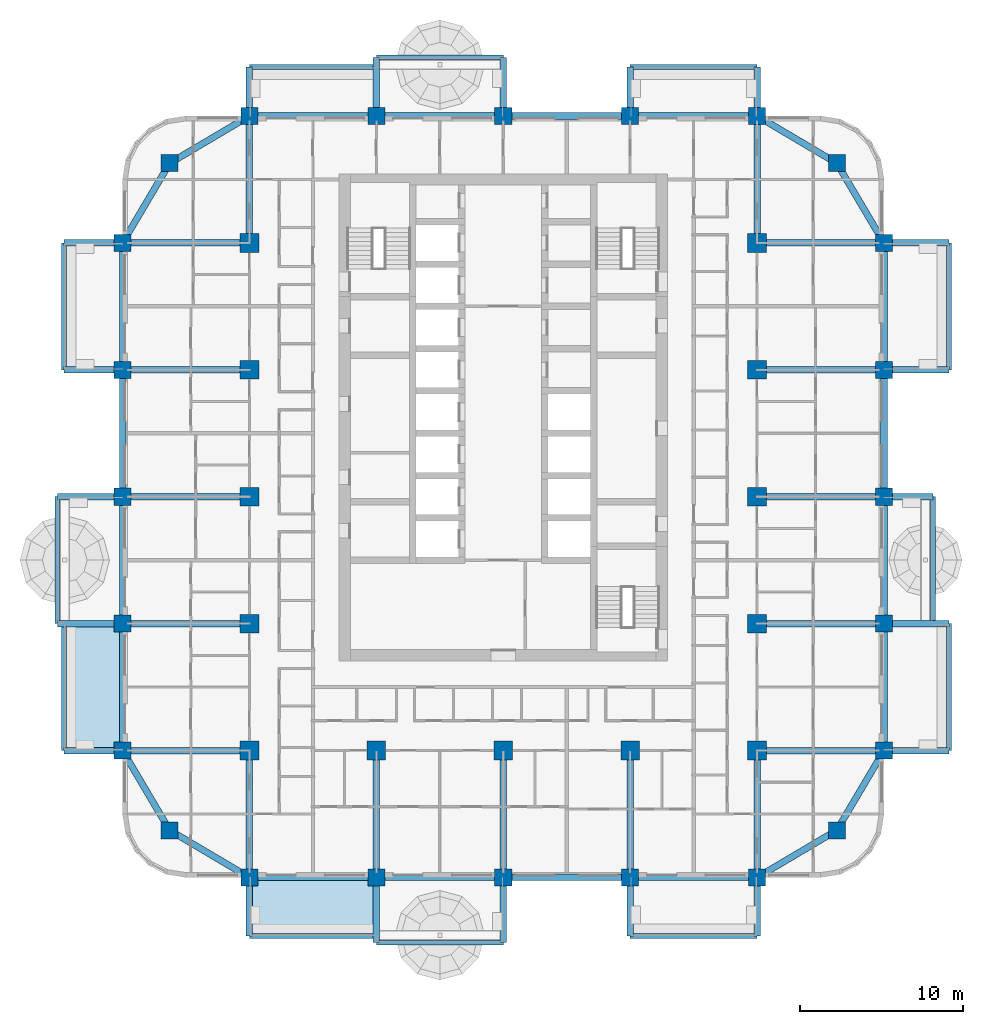
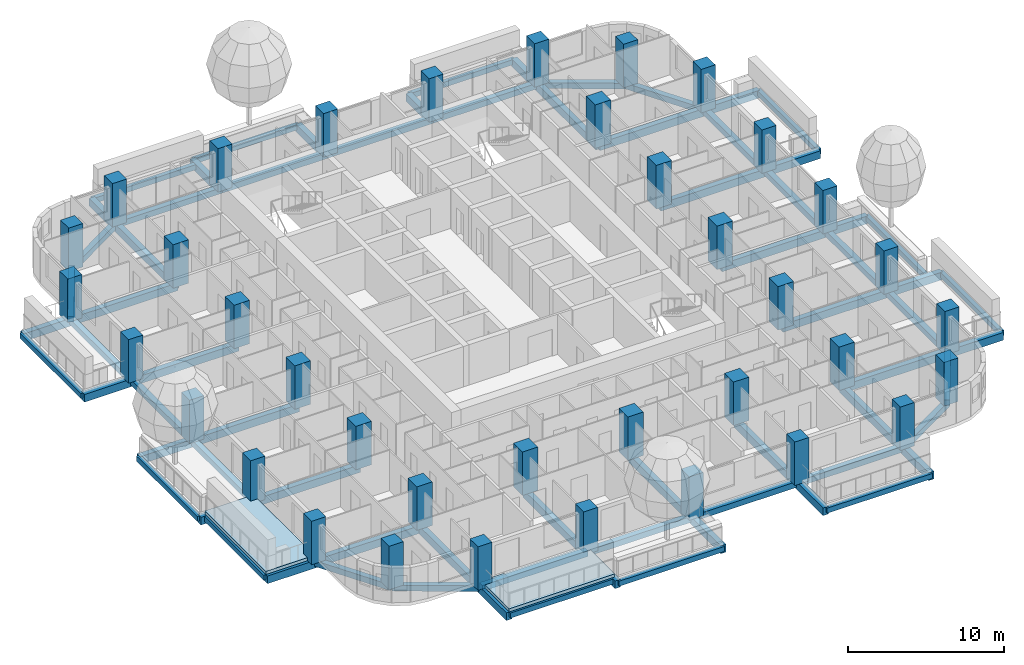
# One storey, part 1 of 18: 73 beams, 37 columns, 2 slabs.
"""IFC4 building model written with IfcOpenShell, lengths in metres."""

from ifc_helpers import new_model, si_unit, direction, frame, origin, origin_2d, place, context, subcontext, project, spatial, polyline, rectangle, outline, extrude, material, layer, layer_set, material_profile, profile_set, type_object, element, save


model = new_model("IFC4")

# Units and contexts
model_context = context("Model", 3, precision=1e-05, world=origin(), true_north=direction((0.0, 1.0)))
body_context = subcontext(model_context, "Body", "Model", "MODEL_VIEW")
ifc_project = project(units=[si_unit("LENGTHUNIT", "METRE"), si_unit("AREAUNIT", "SQUARE_METRE"), si_unit("VOLUMEUNIT", "CUBIC_METRE"), si_unit("PLANEANGLEUNIT", "RADIAN"), si_unit("MASSUNIT", "GRAM", prefix="KILO")], contexts=[model_context])

# Site, building, storey
site_placement = place(None, origin())
site = spatial("IfcSite", under=ifc_project, at=site_placement, CompositionType="ELEMENT")
building_placement = place(site_placement, origin())
building = spatial("IfcBuilding", under=site, at=building_placement, Name="Ludao Terraces", CompositionType="ELEMENT")
storey_placement = place(building_placement, frame((0.0, 0.0, 26.300048828125)))
storey = spatial("IfcBuildingStorey", under=building, at=storey_placement, Name="L06", CompositionType="ELEMENT", Elevation=26.300048828125)

# Columns
ifc_material_1 = material(Name="Concrete C60", Category="concrete")
ifc_material_profile_1 = material_profile(ifc_material_1, rectangle(XDim=1.050048828125, YDim=1.050048828125, at=origin_2d()), Name="1050 X 1050")
ifc_profile_set_1 = profile_set([ifc_material_profile_1], Name="Concrete C60")
column_type_1 = type_object("IfcColumnType", Name="RC column 1050x1050 C60", PredefinedType="COLUMN", material=ifc_profile_set_1)
for number, where, z_axis, x_axis, name in (
    (1, (64.5, 44.5, -0.25), (0.0, 0.0, 1.0), (1.0, 0.0, 0.0), "Column L06 C0029x0029"),
    (2, (105.5, 44.5, -0.25), (0.0, 0.0, 1.0), (1.0, 0.0, 0.0), "Column L06 C0439x0029"),
    (3, (64.5, 85.5, -0.25), (0.0, 0.0, 1.0), (1.0, 0.0, 0.0), "Column L06 C0029x0439"),
    (4, (105.5, 85.5, -0.25), (0.0, 0.0, 1.0), (1.0, 0.0, 0.0), "Column L06 C0439x0439"),
    (5, (61.60009765625, 49.39990234375, -0.25), (0.0, 0.0, 1.0), (1.0, 0.0, 0.0), "Column L06 F0000x0078"),
    (6, (108.39990234375, 49.39990234375, -0.25), (0.0, 0.0, 1.0), (1.0, 0.0, 0.0), "Column L06 F0468x0078"),
    (7, (69.39990234375, 41.60009765625, -0.25), (0.0, 0.0, 1.0), (1.0, 0.0, 0.0), "Column L06 F0078x0000"),
    (8, (69.39990234375, 88.39990234375, -0.25), (0.0, 0.0, 1.0), (1.0, 0.0, 0.0), "Column L06 F0078x0468"),
    (9, (61.60009765625, 57.199951171875, -0.25), (0.0, 0.0, 1.0), (1.0, 0.0, 0.0), "Column L06 F0000x0156"),
    (10, (108.39990234375, 57.199951171875, -0.25), (0.0, 0.0, 1.0), (1.0, 0.0, 0.0), "Column L06 F0468x0156"),
    (11, (77.199951171875, 41.60009765625, -0.25), (0.0, 0.0, 1.0), (1.0, 0.0, 0.0), "Column L06 F0156x0000"),
    (12, (77.199951171875, 88.39990234375, -0.25), (0.0, 0.0, 1.0), (1.0, 0.0, 0.0), "Column L06 F0156x0468"),
    (13, (61.60009765625, 65.0, -0.25), (0.0, 0.0, 1.0), (1.0, 0.0, 0.0), "Column L06 F0000x0234"),
    (14, (108.39990234375, 65.0, -0.25), (0.0, 0.0, 1.0), (1.0, 0.0, 0.0), "Column L06 F0468x0234"),
    (15, (85.0, 41.60009765625, -0.25), (0.0, 0.0, 1.0), (1.0, 0.0, 0.0), "Column L06 F0234x0000"),
    (16, (85.0, 88.39990234375, -0.25), (0.0, 0.0, 1.0), (1.0, 0.0, 0.0), "Column L06 F0234x0468"),
    (17, (61.60009765625, 72.800048828125, -0.25), (0.0, 0.0, 1.0), (1.0, 0.0, 0.0), "Column L06 F0000x0312"),
    (18, (108.39990234375, 72.800048828125, -0.25), (0.0, 0.0, 1.0), (1.0, 0.0, 0.0), "Column L06 F0468x0312"),
    (19, (92.800048828125, 41.60009765625, -0.25), (0.0, 0.0, 1.0), (1.0, 0.0, 0.0), "Column L06 F0312x0000"),
    (20, (92.800048828125, 88.39990234375, -0.25), (0.0, 0.0, 1.0), (1.0, 0.0, 0.0), "Column L06 F0312x0468"),
    (21, (61.60009765625, 80.60009765625, -0.25), (0.0, 0.0, 1.0), (1.0, 0.0, 0.0), "Column L06 F0000x0390"),
    (22, (108.39990234375, 80.60009765625, -0.25), (0.0, 0.0, 1.0), (1.0, 0.0, 0.0), "Column L06 F0468x0390"),
    (23, (100.60009765625, 41.60009765625, -0.25), (0.0, 0.0, 1.0), (1.0, 0.0, 0.0), "Column L06 F0390x0000"),
    (24, (100.60009765625, 88.39990234375, -0.25), (0.0, 0.0, 1.0), (1.0, 0.0, 0.0), "Column L06 F0390x0468"),
):
    element("IfcColumn", number, at=place(storey_placement, frame(where, z_axis=z_axis, x_axis=x_axis)), inside=storey, type_object=column_type_1, Name=name, PredefinedType="COLUMN", context=body_context, shape_type="SweptSolid", body=[
        extrude(rectangle(XDim=1.050048828125, YDim=1.050048828125, at=origin_2d()), origin(), (0.0, 0.0, 1.0), 3.39990234375),
    ])
ifc_material_profile_2 = material_profile(ifc_material_1, rectangle(XDim=1.14990234375, YDim=1.14990234375, at=origin_2d()), Name="1150 X 1150")
ifc_profile_set_2 = profile_set([ifc_material_profile_2], Name="Concrete C60")
column_type_2 = type_object("IfcColumnType", Name="RC column 1150x1150 C60", PredefinedType="COLUMN", material=ifc_profile_set_2)
for number, where, z_axis, x_axis, name in (
    (25, (69.39990234375, 49.39990234375, -0.25), (0.0, 0.0, 1.0), (1.0, 0.0, 0.0), "Column L06 S0078x0078"),
    (26, (69.39990234375, 57.199951171875, -0.25), (0.0, 0.0, 1.0), (1.0, 0.0, 0.0), "Column L06 S0078x0156"),
    (27, (69.39990234375, 65.0, -0.25), (0.0, 0.0, 1.0), (1.0, 0.0, 0.0), "Column L06 S0078x0234"),
    (28, (69.39990234375, 72.800048828125, -0.25), (0.0, 0.0, 1.0), (1.0, 0.0, 0.0), "Column L06 S0078x0312"),
    (29, (69.39990234375, 80.60009765625, -0.25), (0.0, 0.0, 1.0), (1.0, 0.0, 0.0), "Column L06 S0078x0390"),
    (30, (77.199951171875, 49.39990234375, -0.25), (0.0, 0.0, 1.0), (1.0, 0.0, 0.0), "Column L06 S0156x0078"),
    (31, (85.0, 49.39990234375, -0.25), (0.0, 0.0, 1.0), (1.0, 0.0, 0.0), "Column L06 S0234x0078"),
    (32, (92.800048828125, 49.39990234375, -0.25), (0.0, 0.0, 1.0), (1.0, 0.0, 0.0), "Column L06 S0312x0078"),
    (33, (100.60009765625, 49.39990234375, -0.25), (0.0, 0.0, 1.0), (1.0, 0.0, 0.0), "Column L06 S0390x0078"),
    (34, (100.60009765625, 57.199951171875, -0.25), (0.0, 0.0, 1.0), (1.0, 0.0, 0.0), "Column L06 S0390x0156"),
    (35, (100.60009765625, 65.0, -0.25), (0.0, 0.0, 1.0), (1.0, 0.0, 0.0), "Column L06 S0390x0234"),
    (36, (100.60009765625, 72.800048828125, -0.25), (0.0, 0.0, 1.0), (1.0, 0.0, 0.0), "Column L06 S0390x0312"),
    (37, (100.60009765625, 80.60009765625, -0.25), (0.0, 0.0, 1.0), (1.0, 0.0, 0.0), "Column L06 S0390x0390"),
):
    element("IfcColumn", number, at=place(storey_placement, frame(where, z_axis=z_axis, x_axis=x_axis)), inside=storey, type_object=column_type_2, Name=name, PredefinedType="COLUMN", context=body_context, shape_type="SweptSolid", body=[
        extrude(rectangle(XDim=1.14990234375, YDim=1.14990234375, at=origin_2d()), origin(), (0.0, 0.0, 1.0), 3.39990234375),
    ])

# Beams
ifc_material_2 = material(Name="Concrete C40", Category="concrete")
ifc_material_profile_3 = material_profile(ifc_material_2, rectangle(XDim=0.300048828125, YDim=0.39990234375, at=origin_2d()), Name="300 X 400")
ifc_profile_set_3 = profile_set([ifc_material_profile_3], Name="Concrete C40")
beam_type_1 = type_object("IfcBeamType", Name="RC beam 300x400 C40", PredefinedType="BEAM", material=ifc_profile_set_3)
for number, where, z_axis, x_axis, name in (
    (38, (69.39990234375, 38.0, -0.449951171875), (1.0, 0.0, 0.0), (0.0, 1.0, 0.0), "Balcony edge beam L06 S1"),
    (39, (77.199951171875, 37.60009765625, -0.449951171875), (1.0, 0.0, 0.0), (0.0, 1.0, 0.0), "Balcony edge beam L06 S2"),
    (40, (92.800048828125, 38.0, -0.449951171875), (1.0, 0.0, 0.0), (0.0, 1.0, 0.0), "Balcony edge beam L06 S4"),
    (41, (112.39990234375, 49.39990234375, -0.449951171875), (0.0, 1.0, 0.0), (-1.0, 0.0, 0.0), "Balcony edge beam L06 E1"),
    (42, (111.39990234375, 57.199951171875, -0.449951171875), (0.0, 1.0, 0.0), (-1.0, 0.0, 0.0), "Balcony edge beam L06 E2"),
    (43, (112.39990234375, 72.800048828125, -0.449951171875), (0.0, 1.0, 0.0), (-1.0, 0.0, 0.0), "Balcony edge beam L06 E4"),
    (44, (69.39990234375, 91.39990234375, -0.449951171875), (1.0, 0.0, 0.0), (0.0, 1.0, 0.0), "Balcony edge beam L06 N1"),
    (45, (77.199951171875, 92.0, -0.449951171875), (1.0, 0.0, 0.0), (0.0, 1.0, 0.0), "Balcony edge beam L06 N2"),
    (46, (92.800048828125, 91.39990234375, -0.449951171875), (1.0, 0.0, 0.0), (0.0, 1.0, 0.0), "Balcony edge beam L06 N4"),
    (47, (58.0, 49.39990234375, -0.449951171875), (0.0, 1.0, 0.0), (-1.0, 0.0, 0.0), "Balcony edge beam L06 W1"),
    (48, (57.60009765625, 57.199951171875, -0.449951171875), (0.0, 1.0, 0.0), (-1.0, 0.0, 0.0), "Balcony edge beam L06 W2"),
    (49, (58.0, 72.800048828125, -0.449951171875), (0.0, 1.0, 0.0), (-1.0, 0.0, 0.0), "Balcony edge beam L06 W4"),
):
    element("IfcBeam", number, at=place(storey_placement, frame(where, z_axis=z_axis, x_axis=x_axis)), inside=storey, type_object=beam_type_1, Name=name, PredefinedType="BEAM", context=body_context, shape_type="SweptSolid", body=[
        extrude(rectangle(XDim=0.300048828125, YDim=0.39990234375, at=origin_2d()), origin(), (0.0, 0.0, 1.0), 7.800048828125),
    ])
ifc_material_profile_4 = material_profile(ifc_material_2, rectangle(XDim=0.39990234375, YDim=0.449951171875, at=origin_2d()), Name="400 X 450")
ifc_profile_set_4 = profile_set([ifc_material_profile_4], Name="Concrete C40")
beam_type_2 = type_object("IfcBeamType", Name="RC beam 400x450 C40", PredefinedType="BEAM", material=ifc_profile_set_4)
beam_1_placement = place(storey_placement, frame((64.5, 44.5, -0.47509765625), z_axis=(0.860579751256, -0.509315709288, 0.0), x_axis=(0.509315709288, 0.860579751256, 0.0)))
element("IfcBeam", 50, at=beam_1_placement, inside=storey, type_object=beam_type_2, Name="Spandrel beam L06 S1", PredefinedType="BEAM", context=body_context, shape_type="SweptSolid", body=[
    extrude(rectangle(XDim=0.39990234375, YDim=0.449951171875, at=origin_2d()), origin(), (0.0, 0.0, 1.0), 5.693603515625),
])
for number, where, z_axis, x_axis, name in (
    (51, (69.39990234375, 41.60009765625, -0.47509765625), (1.0, 0.0, 0.0), (0.0, 1.0, 0.0), "Spandrel beam L06 S2"),
    (52, (77.199951171875, 41.60009765625, -0.47509765625), (1.0, 0.0, 0.0), (0.0, 1.0, 0.0), "Spandrel beam L06 S3"),
    (53, (85.0, 41.60009765625, -0.47509765625), (1.0, 0.0, 0.0), (0.0, 1.0, 0.0), "Spandrel beam L06 S4"),
    (54, (92.800048828125, 41.60009765625, -0.47509765625), (1.0, 0.0, 0.0), (0.0, 1.0, 0.0), "Spandrel beam L06 S5"),
):
    element("IfcBeam", number, at=place(storey_placement, frame(where, z_axis=z_axis, x_axis=x_axis)), inside=storey, type_object=beam_type_2, Name=name, PredefinedType="BEAM", context=body_context, shape_type="SweptSolid", body=[
        extrude(rectangle(XDim=0.39990234375, YDim=0.449951171875, at=origin_2d()), origin(), (0.0, 0.0, 1.0), 7.800048828125),
    ])
for number, where, z_axis, x_axis, name in (
    (55, (100.60009765625, 41.60009765625, -0.47509765625), (0.860579751256, 0.509315709288, 0.0), (-0.509315709288, 0.860579751256, 0.0), "Spandrel beam L06 S6"),
    (56, (64.5, 85.5, -0.47509765625), (0.860579751256, 0.509315709288, 0.0), (-0.509315709288, 0.860579751256, 0.0), "Spandrel beam L06 N7"),
):
    element("IfcBeam", number, at=place(storey_placement, frame(where, z_axis=z_axis, x_axis=x_axis)), inside=storey, type_object=beam_type_2, Name=name, PredefinedType="BEAM", context=body_context, shape_type="SweptSolid", body=[
        extrude(rectangle(XDim=0.39990234375, YDim=0.449951171875, at=origin_2d()), origin(), (0.0, 0.0, 1.0), 5.693603515625),
    ])
for number, where, z_axis, x_axis, name in (
    (57, (69.39990234375, 88.39990234375, -0.47509765625), (1.0, 0.0, 0.0), (0.0, 1.0, 0.0), "Spandrel beam L06 N8"),
    (58, (77.199951171875, 88.39990234375, -0.47509765625), (1.0, 0.0, 0.0), (0.0, 1.0, 0.0), "Spandrel beam L06 N9"),
    (59, (85.0, 88.39990234375, -0.47509765625), (1.0, 0.0, 0.0), (0.0, 1.0, 0.0), "Spandrel beam L06 N10"),
    (60, (92.800048828125, 88.39990234375, -0.47509765625), (1.0, 0.0, 0.0), (0.0, 1.0, 0.0), "Spandrel beam L06 N11"),
):
    element("IfcBeam", number, at=place(storey_placement, frame(where, z_axis=z_axis, x_axis=x_axis)), inside=storey, type_object=beam_type_2, Name=name, PredefinedType="BEAM", context=body_context, shape_type="SweptSolid", body=[
        extrude(rectangle(XDim=0.39990234375, YDim=0.449951171875, at=origin_2d()), origin(), (0.0, 0.0, 1.0), 7.800048828125),
    ])
for number, where, z_axis, x_axis, name in (
    (61, (100.60009765625, 88.39990234375, -0.47509765625), (0.860579751256, -0.509315709288, 0.0), (0.509315709288, 0.860579751256, 0.0), "Spandrel beam L06 N12"),
    (62, (64.5, 44.5, -0.47509765625), (-0.509315709288, 0.860579751256, 0.0), (-0.860579751256, -0.509315709288, 0.0), "Spandrel beam L06 W13"),
):
    element("IfcBeam", number, at=place(storey_placement, frame(where, z_axis=z_axis, x_axis=x_axis)), inside=storey, type_object=beam_type_2, Name=name, PredefinedType="BEAM", context=body_context, shape_type="SweptSolid", body=[
        extrude(rectangle(XDim=0.39990234375, YDim=0.449951171875, at=origin_2d()), origin(), (0.0, 0.0, 1.0), 5.693603515625),
    ])
for number, where, z_axis, x_axis, name in (
    (63, (61.60009765625, 49.39990234375, -0.47509765625), (0.0, 1.0, 0.0), (-1.0, 0.0, 0.0), "Spandrel beam L06 W14"),
    (64, (61.60009765625, 57.199951171875, -0.47509765625), (0.0, 1.0, 0.0), (-1.0, 0.0, 0.0), "Spandrel beam L06 W15"),
    (65, (61.60009765625, 65.0, -0.47509765625), (0.0, 1.0, 0.0), (-1.0, 0.0, 0.0), "Spandrel beam L06 W16"),
    (66, (61.60009765625, 72.800048828125, -0.47509765625), (0.0, 1.0, 0.0), (-1.0, 0.0, 0.0), "Spandrel beam L06 W17"),
):
    element("IfcBeam", number, at=place(storey_placement, frame(where, z_axis=z_axis, x_axis=x_axis)), inside=storey, type_object=beam_type_2, Name=name, PredefinedType="BEAM", context=body_context, shape_type="SweptSolid", body=[
        extrude(rectangle(XDim=0.39990234375, YDim=0.449951171875, at=origin_2d()), origin(), (0.0, 0.0, 1.0), 7.800048828125),
    ])
for number, where, z_axis, x_axis, name in (
    (67, (61.60009765625, 80.60009765625, -0.47509765625), (0.509315709288, 0.860579751256, 0.0), (-0.860579751256, 0.509315709288, 0.0), "Spandrel beam L06 W18"),
    (68, (105.5, 44.5, -0.47509765625), (0.509315709288, 0.860579751256, 0.0), (-0.860579751256, 0.509315709288, 0.0), "Spandrel beam L06 E19"),
):
    element("IfcBeam", number, at=place(storey_placement, frame(where, z_axis=z_axis, x_axis=x_axis)), inside=storey, type_object=beam_type_2, Name=name, PredefinedType="BEAM", context=body_context, shape_type="SweptSolid", body=[
        extrude(rectangle(XDim=0.39990234375, YDim=0.449951171875, at=origin_2d()), origin(), (0.0, 0.0, 1.0), 5.693603515625),
    ])
for number, where, z_axis, x_axis, name in (
    (69, (108.39990234375, 49.39990234375, -0.47509765625), (0.0, 1.0, 0.0), (-1.0, 0.0, 0.0), "Spandrel beam L06 E20"),
    (70, (108.39990234375, 57.199951171875, -0.47509765625), (0.0, 1.0, 0.0), (-1.0, 0.0, 0.0), "Spandrel beam L06 E21"),
    (71, (108.39990234375, 65.0, -0.47509765625), (0.0, 1.0, 0.0), (-1.0, 0.0, 0.0), "Spandrel beam L06 E22"),
    (72, (108.39990234375, 72.800048828125, -0.47509765625), (0.0, 1.0, 0.0), (-1.0, 0.0, 0.0), "Spandrel beam L06 E23"),
):
    element("IfcBeam", number, at=place(storey_placement, frame(where, z_axis=z_axis, x_axis=x_axis)), inside=storey, type_object=beam_type_2, Name=name, PredefinedType="BEAM", context=body_context, shape_type="SweptSolid", body=[
        extrude(rectangle(XDim=0.39990234375, YDim=0.449951171875, at=origin_2d()), origin(), (0.0, 0.0, 1.0), 7.800048828125),
    ])
beam_2_placement = place(storey_placement, frame((108.39990234375, 80.60009765625, -0.47509765625), z_axis=(-0.509315709288, 0.860579751256, 0.0), x_axis=(-0.860579751256, -0.509315709288, 0.0)))
element("IfcBeam", 73, at=beam_2_placement, inside=storey, type_object=beam_type_2, Name="Spandrel beam L06 E24", PredefinedType="BEAM", context=body_context, shape_type="SweptSolid", body=[
    extrude(rectangle(XDim=0.39990234375, YDim=0.449951171875, at=origin_2d()), origin(), (0.0, 0.0, 1.0), 5.693603515625),
])
ifc_material_profile_5 = material_profile(ifc_material_2, rectangle(XDim=0.39990234375, YDim=0.60009765625, at=origin_2d()), Name="400 X 600")
ifc_profile_set_5 = profile_set([ifc_material_profile_5], Name="Concrete C40")
beam_type_3 = type_object("IfcBeamType", Name="RC beam 400x600 C40", PredefinedType="BEAM", material=ifc_profile_set_5)
beam_3_placement = place(storey_placement, frame((100.60009765625, 49.39990234375, -0.550048828125), z_axis=(1.0, 0.0, 0.0), x_axis=(0.0, 1.0, 0.0)))
element("IfcBeam", 74, at=beam_3_placement, inside=storey, type_object=beam_type_3, Name="Balcony beam L06 E494", PredefinedType="BEAM", context=body_context, shape_type="SweptSolid", body=[
    extrude(rectangle(XDim=0.39990234375, YDim=0.60009765625, at=origin_2d()), origin(), (0.0, 0.0, 1.0), 7.7998046875),
])
beam_4_placement = place(storey_placement, frame((108.39990234375, 49.39990234375, -0.550048828125), z_axis=(1.0, 0.0, 0.0), x_axis=(0.0, 1.0, 0.0)))
element("IfcBeam", 75, at=beam_4_placement, inside=storey, type_object=beam_type_3, Name="Balcony beam L06 E494", PredefinedType="BEAM", context=body_context, shape_type="SweptSolid", body=[
    extrude(rectangle(XDim=0.39990234375, YDim=0.60009765625, at=origin_2d()), origin(), (0.0, 0.0, 1.0), 4.0),
])
beam_5_placement = place(storey_placement, frame((100.60009765625, 57.199951171875, -0.550048828125), z_axis=(1.0, 0.0, 0.0), x_axis=(0.0, 1.0, 0.0)))
element("IfcBeam", 76, at=beam_5_placement, inside=storey, type_object=beam_type_3, Name="Balcony beam L06 E572", PredefinedType="BEAM", context=body_context, shape_type="SweptSolid", body=[
    extrude(rectangle(XDim=0.39990234375, YDim=0.60009765625, at=origin_2d()), origin(), (0.0, 0.0, 1.0), 7.7998046875),
])
beam_6_placement = place(storey_placement, frame((108.39990234375, 57.199951171875, -0.550048828125), z_axis=(1.0, 0.0, 0.0), x_axis=(0.0, 1.0, 0.0)))
element("IfcBeam", 77, at=beam_6_placement, inside=storey, type_object=beam_type_3, Name="Balcony beam L06 E572", PredefinedType="BEAM", context=body_context, shape_type="SweptSolid", body=[
    extrude(rectangle(XDim=0.39990234375, YDim=0.60009765625, at=origin_2d()), origin(), (0.0, 0.0, 1.0), 4.0),
])
beam_7_placement = place(storey_placement, frame((100.60009765625, 65.0, -0.550048828125), z_axis=(1.0, 0.0, 0.0), x_axis=(0.0, 1.0, 0.0)))
element("IfcBeam", 78, at=beam_7_placement, inside=storey, type_object=beam_type_3, Name="Balcony beam L06 E650", PredefinedType="BEAM", context=body_context, shape_type="SweptSolid", body=[
    extrude(rectangle(XDim=0.39990234375, YDim=0.60009765625, at=origin_2d()), origin(), (0.0, 0.0, 1.0), 7.7998046875),
])
beam_8_placement = place(storey_placement, frame((108.39990234375, 65.0, -0.550048828125), z_axis=(1.0, 0.0, 0.0), x_axis=(0.0, 1.0, 0.0)))
element("IfcBeam", 79, at=beam_8_placement, inside=storey, type_object=beam_type_3, Name="Balcony beam L06 E650", PredefinedType="BEAM", context=body_context, shape_type="SweptSolid", body=[
    extrude(rectangle(XDim=0.39990234375, YDim=0.60009765625, at=origin_2d()), origin(), (0.0, 0.0, 1.0), 3.0),
])
beam_9_placement = place(storey_placement, frame((100.60009765625, 72.800048828125, -0.550048828125), z_axis=(1.0, 0.0, 0.0), x_axis=(0.0, 1.0, 0.0)))
element("IfcBeam", 80, at=beam_9_placement, inside=storey, type_object=beam_type_3, Name="Balcony beam L06 E728", PredefinedType="BEAM", context=body_context, shape_type="SweptSolid", body=[
    extrude(rectangle(XDim=0.39990234375, YDim=0.60009765625, at=origin_2d()), origin(), (0.0, 0.0, 1.0), 7.7998046875),
])
beam_10_placement = place(storey_placement, frame((108.39990234375, 72.800048828125, -0.550048828125), z_axis=(1.0, 0.0, 0.0), x_axis=(0.0, 1.0, 0.0)))
element("IfcBeam", 81, at=beam_10_placement, inside=storey, type_object=beam_type_3, Name="Balcony beam L06 E728", PredefinedType="BEAM", context=body_context, shape_type="SweptSolid", body=[
    extrude(rectangle(XDim=0.39990234375, YDim=0.60009765625, at=origin_2d()), origin(), (0.0, 0.0, 1.0), 4.0),
])
beam_11_placement = place(storey_placement, frame((100.60009765625, 80.60009765625, -0.550048828125), z_axis=(1.0, 0.0, 0.0), x_axis=(0.0, 1.0, 0.0)))
element("IfcBeam", 82, at=beam_11_placement, inside=storey, type_object=beam_type_3, Name="Balcony beam L06 E806", PredefinedType="BEAM", context=body_context, shape_type="SweptSolid", body=[
    extrude(rectangle(XDim=0.39990234375, YDim=0.60009765625, at=origin_2d()), origin(), (0.0, 0.0, 1.0), 7.7998046875),
])
beam_12_placement = place(storey_placement, frame((108.39990234375, 80.60009765625, -0.550048828125), z_axis=(1.0, 0.0, 0.0), x_axis=(0.0, 1.0, 0.0)))
element("IfcBeam", 83, at=beam_12_placement, inside=storey, type_object=beam_type_3, Name="Balcony beam L06 E806", PredefinedType="BEAM", context=body_context, shape_type="SweptSolid", body=[
    extrude(rectangle(XDim=0.39990234375, YDim=0.60009765625, at=origin_2d()), origin(), (0.0, 0.0, 1.0), 4.0),
])
beam_13_placement = place(storey_placement, frame((100.60009765625, 80.60009765625, -0.550048828125), z_axis=(0.0, 1.0, 0.0), x_axis=(-1.0, 0.0, 0.0)))
element("IfcBeam", 84, at=beam_13_placement, inside=storey, type_object=beam_type_3, Name="Balcony beam L06 N1006", PredefinedType="BEAM", context=body_context, shape_type="SweptSolid", body=[
    extrude(rectangle(XDim=0.39990234375, YDim=0.60009765625, at=origin_2d()), origin(), (0.0, 0.0, 1.0), 7.7998046875),
])
beam_14_placement = place(storey_placement, frame((100.60009765625, 88.39990234375, -0.550048828125), z_axis=(0.0, 1.0, 0.0), x_axis=(-1.0, 0.0, 0.0)))
element("IfcBeam", 85, at=beam_14_placement, inside=storey, type_object=beam_type_3, Name="Balcony beam L06 N1006", PredefinedType="BEAM", context=body_context, shape_type="SweptSolid", body=[
    extrude(rectangle(XDim=0.39990234375, YDim=0.60009765625, at=origin_2d()), origin(), (0.0, 0.0, 1.0), 3.0),
])
beam_15_placement = place(storey_placement, frame((69.39990234375, 80.60009765625, -0.550048828125), z_axis=(0.0, 1.0, 0.0), x_axis=(-1.0, 0.0, 0.0)))
element("IfcBeam", 86, at=beam_15_placement, inside=storey, type_object=beam_type_3, Name="Balcony beam L06 N694", PredefinedType="BEAM", context=body_context, shape_type="SweptSolid", body=[
    extrude(rectangle(XDim=0.39990234375, YDim=0.60009765625, at=origin_2d()), origin(), (0.0, 0.0, 1.0), 7.7998046875),
])
beam_16_placement = place(storey_placement, frame((69.39990234375, 88.39990234375, -0.550048828125), z_axis=(0.0, 1.0, 0.0), x_axis=(-1.0, 0.0, 0.0)))
element("IfcBeam", 87, at=beam_16_placement, inside=storey, type_object=beam_type_3, Name="Balcony beam L06 N694", PredefinedType="BEAM", context=body_context, shape_type="SweptSolid", body=[
    extrude(rectangle(XDim=0.39990234375, YDim=0.60009765625, at=origin_2d()), origin(), (0.0, 0.0, 1.0), 3.0),
])
for number, where, z_axis, x_axis, name in (
    (88, (77.199951171875, 88.39990234375, -0.550048828125), (0.0, 1.0, 0.0), (-1.0, 0.0, 0.0), "Balcony beam L06 N772"),
    (89, (85.0, 88.39990234375, -0.550048828125), (0.0, 1.0, 0.0), (-1.0, 0.0, 0.0), "Balcony beam L06 N850"),
):
    element("IfcBeam", number, at=place(storey_placement, frame(where, z_axis=z_axis, x_axis=x_axis)), inside=storey, type_object=beam_type_3, Name=name, PredefinedType="BEAM", context=body_context, shape_type="SweptSolid", body=[
        extrude(rectangle(XDim=0.39990234375, YDim=0.60009765625, at=origin_2d()), origin(), (0.0, 0.0, 1.0), 3.60009765625),
    ])
beam_17_placement = place(storey_placement, frame((92.800048828125, 88.39990234375, -0.550048828125), z_axis=(0.0, 1.0, 0.0), x_axis=(-1.0, 0.0, 0.0)))
element("IfcBeam", 90, at=beam_17_placement, inside=storey, type_object=beam_type_3, Name="Balcony beam L06 N928", PredefinedType="BEAM", context=body_context, shape_type="SweptSolid", body=[
    extrude(rectangle(XDim=0.39990234375, YDim=0.60009765625, at=origin_2d()), origin(), (0.0, 0.0, 1.0), 3.0),
])
beam_18_placement = place(storey_placement, frame((100.60009765625, 49.39990234375, -0.550048828125), z_axis=(0.0, -1.0, 0.0), x_axis=(1.0, 0.0, 0.0)))
element("IfcBeam", 91, at=beam_18_placement, inside=storey, type_object=beam_type_3, Name="Balcony beam L06 S1006", PredefinedType="BEAM", context=body_context, shape_type="SweptSolid", body=[
    extrude(rectangle(XDim=0.39990234375, YDim=0.60009765625, at=origin_2d()), origin(), (0.0, 0.0, 1.0), 7.7998046875),
])
beam_19_placement = place(storey_placement, frame((100.60009765625, 41.60009765625, -0.550048828125), z_axis=(0.0, -1.0, 0.0), x_axis=(1.0, 0.0, 0.0)))
element("IfcBeam", 92, at=beam_19_placement, inside=storey, type_object=beam_type_3, Name="Balcony beam L06 S1006", PredefinedType="BEAM", context=body_context, shape_type="SweptSolid", body=[
    extrude(rectangle(XDim=0.39990234375, YDim=0.60009765625, at=origin_2d()), origin(), (0.0, 0.0, 1.0), 3.60009765625),
])
beam_20_placement = place(storey_placement, frame((69.39990234375, 49.39990234375, -0.550048828125), z_axis=(0.0, -1.0, 0.0), x_axis=(1.0, 0.0, 0.0)))
element("IfcBeam", 93, at=beam_20_placement, inside=storey, type_object=beam_type_3, Name="Balcony beam L06 S694", PredefinedType="BEAM", context=body_context, shape_type="SweptSolid", body=[
    extrude(rectangle(XDim=0.39990234375, YDim=0.60009765625, at=origin_2d()), origin(), (0.0, 0.0, 1.0), 7.7998046875),
])
beam_21_placement = place(storey_placement, frame((69.39990234375, 41.60009765625, -0.550048828125), z_axis=(0.0, -1.0, 0.0), x_axis=(1.0, 0.0, 0.0)))
element("IfcBeam", 94, at=beam_21_placement, inside=storey, type_object=beam_type_3, Name="Balcony beam L06 S694", PredefinedType="BEAM", context=body_context, shape_type="SweptSolid", body=[
    extrude(rectangle(XDim=0.39990234375, YDim=0.60009765625, at=origin_2d()), origin(), (0.0, 0.0, 1.0), 3.60009765625),
])
beam_22_placement = place(storey_placement, frame((77.199951171875, 49.39990234375, -0.550048828125), z_axis=(0.0, -1.0, 0.0), x_axis=(1.0, 0.0, 0.0)))
element("IfcBeam", 95, at=beam_22_placement, inside=storey, type_object=beam_type_3, Name="Balcony beam L06 S772", PredefinedType="BEAM", context=body_context, shape_type="SweptSolid", body=[
    extrude(rectangle(XDim=0.39990234375, YDim=0.60009765625, at=origin_2d()), origin(), (0.0, 0.0, 1.0), 7.7998046875),
])
beam_23_placement = place(storey_placement, frame((77.199951171875, 41.60009765625, -0.550048828125), z_axis=(0.0, -1.0, 0.0), x_axis=(1.0, 0.0, 0.0)))
element("IfcBeam", 96, at=beam_23_placement, inside=storey, type_object=beam_type_3, Name="Balcony beam L06 S772", PredefinedType="BEAM", context=body_context, shape_type="SweptSolid", body=[
    extrude(rectangle(XDim=0.39990234375, YDim=0.60009765625, at=origin_2d()), origin(), (0.0, 0.0, 1.0), 4.0),
])
beam_24_placement = place(storey_placement, frame((85.0, 49.39990234375, -0.550048828125), z_axis=(0.0, -1.0, 0.0), x_axis=(1.0, 0.0, 0.0)))
element("IfcBeam", 97, at=beam_24_placement, inside=storey, type_object=beam_type_3, Name="Balcony beam L06 S850", PredefinedType="BEAM", context=body_context, shape_type="SweptSolid", body=[
    extrude(rectangle(XDim=0.39990234375, YDim=0.60009765625, at=origin_2d()), origin(), (0.0, 0.0, 1.0), 7.7998046875),
])
beam_25_placement = place(storey_placement, frame((85.0, 41.60009765625, -0.550048828125), z_axis=(0.0, -1.0, 0.0), x_axis=(1.0, 0.0, 0.0)))
element("IfcBeam", 98, at=beam_25_placement, inside=storey, type_object=beam_type_3, Name="Balcony beam L06 S850", PredefinedType="BEAM", context=body_context, shape_type="SweptSolid", body=[
    extrude(rectangle(XDim=0.39990234375, YDim=0.60009765625, at=origin_2d()), origin(), (0.0, 0.0, 1.0), 4.0),
])
beam_26_placement = place(storey_placement, frame((92.800048828125, 49.39990234375, -0.550048828125), z_axis=(0.0, -1.0, 0.0), x_axis=(1.0, 0.0, 0.0)))
element("IfcBeam", 99, at=beam_26_placement, inside=storey, type_object=beam_type_3, Name="Balcony beam L06 S928", PredefinedType="BEAM", context=body_context, shape_type="SweptSolid", body=[
    extrude(rectangle(XDim=0.39990234375, YDim=0.60009765625, at=origin_2d()), origin(), (0.0, 0.0, 1.0), 7.7998046875),
])
beam_27_placement = place(storey_placement, frame((92.800048828125, 41.60009765625, -0.550048828125), z_axis=(0.0, -1.0, 0.0), x_axis=(1.0, 0.0, 0.0)))
element("IfcBeam", 100, at=beam_27_placement, inside=storey, type_object=beam_type_3, Name="Balcony beam L06 S928", PredefinedType="BEAM", context=body_context, shape_type="SweptSolid", body=[
    extrude(rectangle(XDim=0.39990234375, YDim=0.60009765625, at=origin_2d()), origin(), (0.0, 0.0, 1.0), 3.60009765625),
])
beam_28_placement = place(storey_placement, frame((69.39990234375, 49.39990234375, -0.550048828125), z_axis=(-1.0, 0.0, 0.0), x_axis=(0.0, -1.0, 0.0)))
element("IfcBeam", 101, at=beam_28_placement, inside=storey, type_object=beam_type_3, Name="Balcony beam L06 W494", PredefinedType="BEAM", context=body_context, shape_type="SweptSolid", body=[
    extrude(rectangle(XDim=0.39990234375, YDim=0.60009765625, at=origin_2d()), origin(), (0.0, 0.0, 1.0), 7.7998046875),
])
beam_29_placement = place(storey_placement, frame((61.60009765625, 49.39990234375, -0.550048828125), z_axis=(-1.0, 0.0, 0.0), x_axis=(0.0, -1.0, 0.0)))
element("IfcBeam", 102, at=beam_29_placement, inside=storey, type_object=beam_type_3, Name="Balcony beam L06 W494", PredefinedType="BEAM", context=body_context, shape_type="SweptSolid", body=[
    extrude(rectangle(XDim=0.39990234375, YDim=0.60009765625, at=origin_2d()), origin(), (0.0, 0.0, 1.0), 3.60009765625),
])
beam_30_placement = place(storey_placement, frame((69.39990234375, 57.199951171875, -0.550048828125), z_axis=(-1.0, 0.0, 0.0), x_axis=(0.0, -1.0, 0.0)))
element("IfcBeam", 103, at=beam_30_placement, inside=storey, type_object=beam_type_3, Name="Balcony beam L06 W572", PredefinedType="BEAM", context=body_context, shape_type="SweptSolid", body=[
    extrude(rectangle(XDim=0.39990234375, YDim=0.60009765625, at=origin_2d()), origin(), (0.0, 0.0, 1.0), 7.7998046875),
])
beam_31_placement = place(storey_placement, frame((61.60009765625, 57.199951171875, -0.550048828125), z_axis=(-1.0, 0.0, 0.0), x_axis=(0.0, -1.0, 0.0)))
element("IfcBeam", 104, at=beam_31_placement, inside=storey, type_object=beam_type_3, Name="Balcony beam L06 W572", PredefinedType="BEAM", context=body_context, shape_type="SweptSolid", body=[
    extrude(rectangle(XDim=0.39990234375, YDim=0.60009765625, at=origin_2d()), origin(), (0.0, 0.0, 1.0), 4.0),
])
beam_32_placement = place(storey_placement, frame((69.39990234375, 65.0, -0.550048828125), z_axis=(-1.0, 0.0, 0.0), x_axis=(0.0, -1.0, 0.0)))
element("IfcBeam", 105, at=beam_32_placement, inside=storey, type_object=beam_type_3, Name="Balcony beam L06 W650", PredefinedType="BEAM", context=body_context, shape_type="SweptSolid", body=[
    extrude(rectangle(XDim=0.39990234375, YDim=0.60009765625, at=origin_2d()), origin(), (0.0, 0.0, 1.0), 7.7998046875),
])
beam_33_placement = place(storey_placement, frame((61.60009765625, 65.0, -0.550048828125), z_axis=(-1.0, 0.0, 0.0), x_axis=(0.0, -1.0, 0.0)))
element("IfcBeam", 106, at=beam_33_placement, inside=storey, type_object=beam_type_3, Name="Balcony beam L06 W650", PredefinedType="BEAM", context=body_context, shape_type="SweptSolid", body=[
    extrude(rectangle(XDim=0.39990234375, YDim=0.60009765625, at=origin_2d()), origin(), (0.0, 0.0, 1.0), 4.0),
])
beam_34_placement = place(storey_placement, frame((69.39990234375, 72.800048828125, -0.550048828125), z_axis=(-1.0, 0.0, 0.0), x_axis=(0.0, -1.0, 0.0)))
element("IfcBeam", 107, at=beam_34_placement, inside=storey, type_object=beam_type_3, Name="Balcony beam L06 W728", PredefinedType="BEAM", context=body_context, shape_type="SweptSolid", body=[
    extrude(rectangle(XDim=0.39990234375, YDim=0.60009765625, at=origin_2d()), origin(), (0.0, 0.0, 1.0), 7.7998046875),
])
beam_35_placement = place(storey_placement, frame((61.60009765625, 72.800048828125, -0.550048828125), z_axis=(-1.0, 0.0, 0.0), x_axis=(0.0, -1.0, 0.0)))
element("IfcBeam", 108, at=beam_35_placement, inside=storey, type_object=beam_type_3, Name="Balcony beam L06 W728", PredefinedType="BEAM", context=body_context, shape_type="SweptSolid", body=[
    extrude(rectangle(XDim=0.39990234375, YDim=0.60009765625, at=origin_2d()), origin(), (0.0, 0.0, 1.0), 3.60009765625),
])
beam_36_placement = place(storey_placement, frame((69.39990234375, 80.60009765625, -0.550048828125), z_axis=(-1.0, 0.0, 0.0), x_axis=(0.0, -1.0, 0.0)))
element("IfcBeam", 109, at=beam_36_placement, inside=storey, type_object=beam_type_3, Name="Balcony beam L06 W806", PredefinedType="BEAM", context=body_context, shape_type="SweptSolid", body=[
    extrude(rectangle(XDim=0.39990234375, YDim=0.60009765625, at=origin_2d()), origin(), (0.0, 0.0, 1.0), 7.7998046875),
])
beam_37_placement = place(storey_placement, frame((61.60009765625, 80.60009765625, -0.550048828125), z_axis=(-1.0, 0.0, 0.0), x_axis=(0.0, -1.0, 0.0)))
element("IfcBeam", 110, at=beam_37_placement, inside=storey, type_object=beam_type_3, Name="Balcony beam L06 W806", PredefinedType="BEAM", context=body_context, shape_type="SweptSolid", body=[
    extrude(rectangle(XDim=0.39990234375, YDim=0.60009765625, at=origin_2d()), origin(), (0.0, 0.0, 1.0), 3.60009765625),
])

# Slabs
ifc_layer = layer(ifc_material_2, 0.25)
ifc_layer_set = layer_set([ifc_layer], Name="Balcony slab 250 C40")
slab_type = type_object("IfcSlabType", Name="Balcony slab 250 C40", PredefinedType="USERDEFINED", material=ifc_layer_set)
slab_1_placement = place(storey_placement, frame((0.0, 0.0, -0.25)))
element("IfcSlab", 111, at=slab_1_placement, inside=storey, type_object=slab_type, Name="Balcony L06 S1", ObjectType="BALCONY", PredefinedType="USERDEFINED", context=body_context, shape_type="SweptSolid", body=[
    extrude(outline(polyline([(69.39990234375, 38.0), (77.199951171875, 38.0), (77.199951171875, 41.60009765625), (69.39990234375, 41.60009765625), (69.39990234375, 38.0)])), origin(), (0.0, 0.0, 1.0), 0.25),
])
slab_2_placement = place(storey_placement, frame((0.0, 0.0, -0.25)))
element("IfcSlab", 112, at=slab_2_placement, inside=storey, type_object=slab_type, Name="Balcony L06 W1", ObjectType="BALCONY", PredefinedType="USERDEFINED", context=body_context, shape_type="SweptSolid", body=[
    extrude(outline(polyline([(58.0, 49.39990234375), (61.60009765625, 49.39990234375), (61.60009765625, 57.199951171875), (58.0, 57.199951171875), (58.0, 49.39990234375)])), origin(), (0.0, 0.0, 1.0), 0.25),
])

save(model, "model.ifc")
